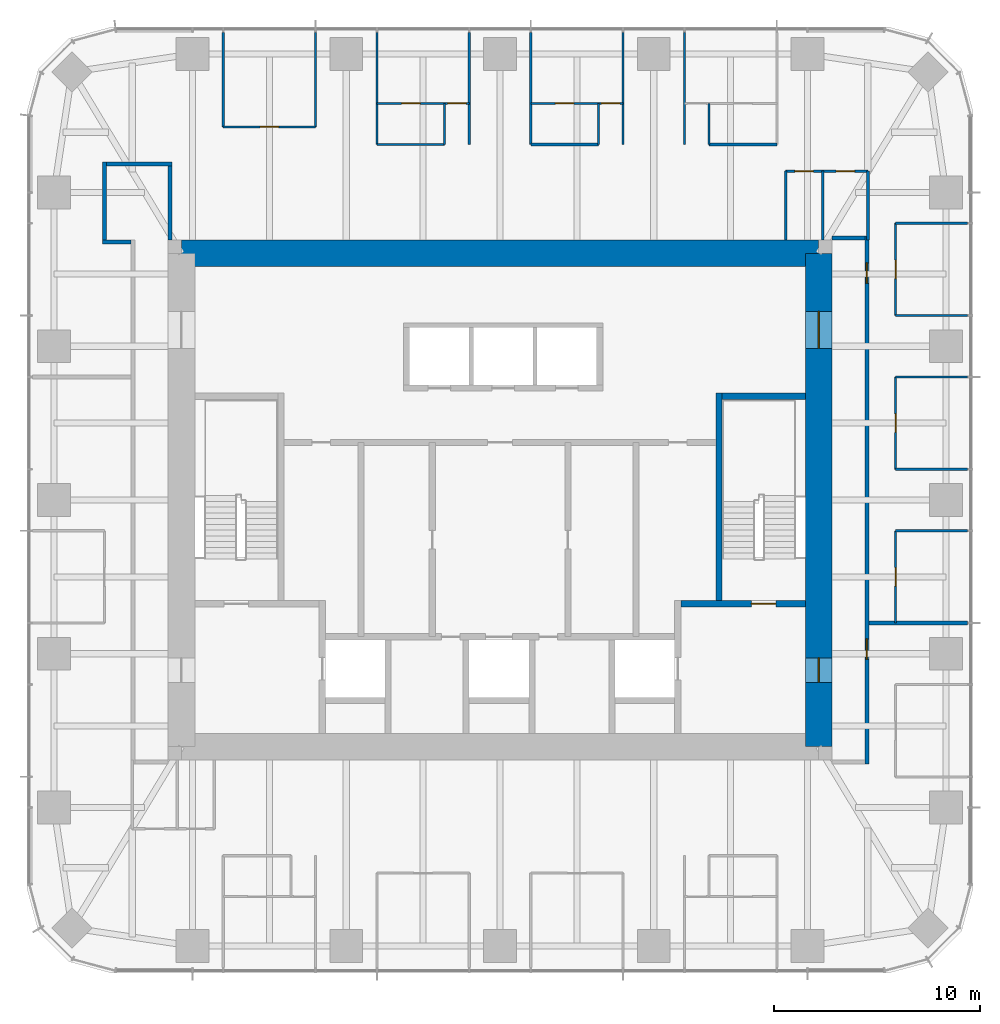
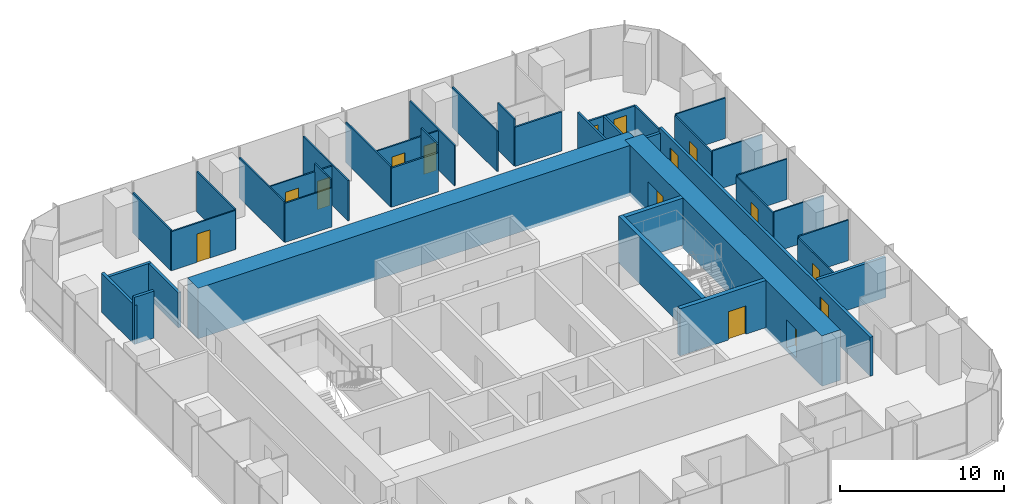
# One storey, part 10 of 12: 40 walls, 15 doors, 15 openings.
"""IFC4 building model written with IfcOpenShell, lengths in metres."""

from ifc_helpers import new_model, si_unit, direction, frame, frame_2d, origin, place, context, subcontext, project, spatial, rectangle, extrude, material, layer, layer_set, type_object, element, fill, save


model = new_model("IFC4")

# Units and contexts
model_context = context("Model", 3, precision=1e-05, world=origin(), true_north=direction((0.0, 1.0)))
body_context = subcontext(model_context, "Body", "Model", "MODEL_VIEW")
ifc_project = project(units=[si_unit("LENGTHUNIT", "METRE"), si_unit("AREAUNIT", "SQUARE_METRE"), si_unit("VOLUMEUNIT", "CUBIC_METRE"), si_unit("PLANEANGLEUNIT", "RADIAN"), si_unit("MASSUNIT", "GRAM", prefix="KILO")], contexts=[model_context])

# Site, building, storey
site_placement = place(None, origin())
site = spatial("IfcSite", under=ifc_project, at=site_placement, CompositionType="ELEMENT")
building_placement = place(site_placement, origin())
building = spatial("IfcBuilding", under=site, at=building_placement, Name="Khuree Lantern Residences", CompositionType="ELEMENT")
storey_placement = place(building_placement, frame((0.0, 0.0, 342.0)))
storey = spatial("IfcBuildingStorey", under=building, at=storey_placement, Name="L86", CompositionType="ELEMENT", Elevation=342.0)

# Walls
ifc_material_1 = material(Name="Moisture-resistant gypsum board on steel studs", Category="steel")
ifc_layer_1 = layer(ifc_material_1, 0.125)
ifc_layer_set_1 = layer_set([ifc_layer_1], Name="BATHROOM WALL BTW125")
wall_type_1 = type_object("IfcWallType", Name="BATHROOM WALL BTW125", PredefinedType="PARTITIONING", material=ifc_layer_set_1)
wall_1_placement = place(storey_placement, frame((13.464111328125, 17.29638671875, 0.0), z_axis=(0.0, 0.0, 1.0), x_axis=(-1.0, 0.0, 0.0)))
element("IfcWall", 1, at=wall_1_placement, inside=storey, type_object=wall_type_1, Name="L86 BATHROOM WALL 01", PredefinedType="PARTITIONING", context=body_context, shape_type="SweptSolid", body=[
    extrude(rectangle(XDim=3.2880859375, YDim=0.125, at=frame_2d((1.64404296875, 0.0))), origin(), (0.0, 0.0, 1.0), 2.909912109375),
])
wall_2_placement = place(storey_placement, frame((4.783935546875, 17.29638671875, 0.0), z_axis=(0.0, 0.0, 1.0), x_axis=(-1.0, 0.0, 0.0)))
element("IfcWall", 2, at=wall_2_placement, inside=storey, type_object=wall_type_1, Name="L86 BATHROOM WALL 01", PredefinedType="PARTITIONING", context=body_context, shape_type="SweptSolid", body=[
    extrude(rectangle(XDim=3.287841796875, YDim=0.125, at=frame_2d((1.64404296875, 0.0))), origin(), (0.0, 0.0, 1.0), 2.909912109375),
])

# Wall, openings, doors
wall_3_placement = place(storey_placement, frame((17.89990234375, 15.996337890625, 0.0), z_axis=(0.0, 0.0, 1.0), x_axis=(-1.0, 0.0, 0.0)))
wall_3 = element("IfcWall", 3, at=wall_3_placement, inside=storey, type_object=wall_type_1, Name="L86 BATHROOM WALL 01", PredefinedType="PARTITIONING", context=body_context, shape_type="SweptSolid", body=[
    extrude(rectangle(XDim=4.0, YDim=0.125, at=frame_2d((2.0, 0.0))), origin(), (0.0, 0.0, 1.0), 2.60009765625),
])
opening_1_placement = place(wall_3_placement, frame((0.64990234375, 0.0, 0.0)))
opening_1 = element("IfcOpeningElement", 4, at=opening_1_placement, cuts=wall_3, Name="Opening 86-030", PredefinedType="OPENING", context=body_context, shape_type="SweptSolid", body=[
    extrude(rectangle(XDim=0.89990234375, YDim=2.10009765625, at=frame_2d((0.449951171875, 1.050048828125))), frame((0.0, 0.072509765625, 0.0), z_axis=(0.0, -1.0, 0.0), x_axis=(1.0, 0.0, 0.0)), (0.0, 0.0, 1.0), 0.14501953125),
])
opening_2_placement = place(wall_3_placement, frame((2.64990234375, 0.0, 0.0)))
opening_2 = element("IfcOpeningElement", 5, at=opening_2_placement, cuts=wall_3, Name="Opening 86-031", PredefinedType="OPENING", context=body_context, shape_type="SweptSolid", body=[
    extrude(rectangle(XDim=0.89990234375, YDim=2.10009765625, at=frame_2d((0.449951171875, 1.050048828125))), frame((0.0, 0.072509765625, 0.0), z_axis=(0.0, -1.0, 0.0), x_axis=(1.0, 0.0, 0.0)), (0.0, 0.0, 1.0), 0.14501953125),
])
ifc_material_2 = material(Name="Timber door leaf in hardwood frame", Category="wood")
door_type_1 = type_object("IfcDoorType", Name="BATHROOM DOOR 900X2100", OperationType="SINGLE_SWING_LEFT", PredefinedType="DOOR", material=ifc_material_2)
door_1_placement = place(opening_1_placement, origin())
door_1 = element("IfcDoor", 6, at=door_1_placement, inside=storey, type_object=door_type_1, Name="Bathroom door 86-030", OperationType="SINGLE_SWING_LEFT", OverallHeight=2.10009765625, OverallWidth=0.89990234375, PredefinedType="DOOR", context=body_context, shape_type="SweptSolid", body=[
    extrude(rectangle(XDim=0.89990234375, YDim=2.10009765625, at=frame_2d((0.449951171875, 1.050048828125))), frame((0.0, 0.02490234375, 0.0), z_axis=(0.0, -1.0, 0.0), x_axis=(1.0, 0.0, 0.0)), (0.0, 0.0, 1.0), 0.050048828125),
])
fill(opening_1, door_1)
door_type_2 = type_object("IfcDoorType", Name="DOOR 900X2100", OperationType="SINGLE_SWING_LEFT", PredefinedType="DOOR", material=ifc_material_2)
door_2_placement = place(opening_2_placement, origin())
door_2 = element("IfcDoor", 7, at=door_2_placement, inside=storey, type_object=door_type_2, Name="Store door 86-031", OperationType="SINGLE_SWING_LEFT", OverallHeight=2.10009765625, OverallWidth=0.89990234375, PredefinedType="DOOR", context=body_context, shape_type="SweptSolid", body=[
    extrude(rectangle(XDim=0.89990234375, YDim=2.10009765625, at=frame_2d((0.449951171875, 1.050048828125))), frame((0.0, 0.02490234375, 0.0), z_axis=(0.0, -1.0, 0.0), x_axis=(1.0, 0.0, 0.0)), (0.0, 0.0, 1.0), 0.050048828125),
])
fill(opening_2, door_2)

# Walls
for number, where, z_axis, x_axis, name in (
    (8, (17.89990234375, 12.64990234375, 0.0), (0.0, 0.0, 1.0), (0.0, 1.0, 0.0), "L86 BATHROOM WALL 01"),
    (9, (15.699951171875, 12.64990234375, 0.0), (0.0, 0.0, 1.0), (0.0, 1.0, 0.0), "L86 BATHROOM WALL 01"),
):
    element("IfcWall", number, at=place(storey_placement, frame(where, z_axis=z_axis, x_axis=x_axis)), inside=storey, type_object=wall_type_1, Name=name, PredefinedType="PARTITIONING", context=body_context, shape_type="SweptSolid", body=[
        extrude(rectangle(XDim=3.346435546875, YDim=0.125, at=frame_2d((1.67333984375, 0.0))), origin(), (0.0, 0.0, 1.0), 2.60009765625),
    ])
wall_4_placement = place(storey_placement, frame((13.89990234375, 12.64990234375, 0.0), z_axis=(0.0, 0.0, 1.0), x_axis=(0.0, 1.0, 0.0)))
element("IfcWall", 10, at=wall_4_placement, inside=storey, type_object=wall_type_1, Name="L86 BATHROOM WALL 01", PredefinedType="PARTITIONING", context=body_context, shape_type="SweptSolid", body=[
    extrude(rectangle(XDim=3.346435546875, YDim=0.125, at=frame_2d((1.67333984375, 0.0))), origin(), (0.0, 0.0, 1.0), 3.5),
])
ifc_material_3 = material(Name="Gypsum board on steel studs", Category="steel")
ifc_layer_2 = layer(ifc_material_3, 0.199951171875)
ifc_layer_set_2 = layer_set([ifc_layer_2], Name="CORRIDOR WALL CRW200 EI 60")
wall_type_2 = type_object("IfcWallType", Name="CORRIDOR WALL CRW200 EI 60", PredefinedType="PARTITIONING", material=ifc_layer_set_2)
wall_5_placement = place(storey_placement, frame((-17.949951171875, 12.550048828125, 0.0), z_axis=(0.0, 0.0, 1.0), x_axis=(-1.0, 0.0, 0.0)))
element("IfcWall", 11, at=wall_5_placement, inside=storey, type_object=wall_type_2, Name="L86 RESIDENTS LOUNGE WALL", PredefinedType="PARTITIONING", context=body_context, shape_type="SweptSolid", body=[
    extrude(rectangle(XDim=1.400146484375, YDim=0.199951171875, at=frame_2d((0.7001953125, 0.0))), origin(), (0.0, 0.0, 1.0), 3.5),
])
wall_6_placement = place(storey_placement, frame((-19.25, 12.449951171875, 0.0), z_axis=(0.0, 0.0, 1.0), x_axis=(0.0, 1.0, 0.0)))
element("IfcWall", 12, at=wall_6_placement, inside=storey, type_object=wall_type_2, Name="L86 RESIDENTS LOUNGE WALL", PredefinedType="PARTITIONING", context=body_context, shape_type="SweptSolid", body=[
    extrude(rectangle(XDim=4.0, YDim=0.199951171875, at=frame_2d((2.0, 0.0))), origin(), (0.0, 0.0, 1.0), 2.89990234375),
])
wall_7_placement = place(storey_placement, frame((-19.14990234375, 16.35009765625, 0.0), z_axis=(0.0, 0.0, 1.0), x_axis=(1.0, 0.0, 0.0)))
element("IfcWall", 13, at=wall_7_placement, inside=storey, type_object=wall_type_2, Name="L86 RESIDENTS LOUNGE WALL", PredefinedType="PARTITIONING", context=body_context, shape_type="SweptSolid", body=[
    extrude(rectangle(XDim=3.199951171875, YDim=0.199951171875, at=frame_2d((1.60009765625, 0.0))), origin(), (0.0, 0.0, 1.0), 2.60009765625),
])
wall_8_placement = place(storey_placement, frame((-16.050048828125, 16.449951171875, 0.0), z_axis=(0.0, 0.0, 1.0), x_axis=(0.0, -1.0, 0.0)))
element("IfcWall", 14, at=wall_8_placement, inside=storey, type_object=wall_type_2, Name="L86 RESIDENTS LOUNGE WALL", PredefinedType="PARTITIONING", context=body_context, shape_type="SweptSolid", body=[
    extrude(rectangle(XDim=3.800048828125, YDim=0.199951171875, at=frame_2d((1.89990234375, 0.0))), origin(), (0.0, 0.0, 1.0), 2.60009765625),
])
wall_9_placement = place(storey_placement, frame((16.14990234375, 12.75, 0.0), z_axis=(0.0, 0.0, 1.0), x_axis=(1.0, 0.0, 0.0)))
element("IfcWall", 15, at=wall_9_placement, inside=storey, type_object=wall_type_2, Name="L86 EAST CORRIDOR NORTH END WALL", PredefinedType="PARTITIONING", context=body_context, shape_type="SweptSolid", body=[
    extrude(rectangle(XDim=1.60009765625, YDim=0.199951171875, at=frame_2d((0.800048828125, 0.0))), origin(), (0.0, 0.0, 1.0), 2.60009765625),
])

# Wall, openings, doors
wall_10_placement = place(storey_placement, frame((17.85009765625, -12.85009765625, 0.0), z_axis=(0.0, 0.0, 1.0), x_axis=(0.0, 1.0, 0.0)))
wall_10 = element("IfcWall", 16, at=wall_10_placement, inside=storey, type_object=wall_type_2, Name="L86 CORRIDOR WALL EAST 1", PredefinedType="PARTITIONING", context=body_context, shape_type="SweptSolid", body=[
    extrude(rectangle(XDim=25.7001953125, YDim=0.199951171875, at=frame_2d((12.85009765625, 0.0))), origin(), (0.0, 0.0, 1.0), 2.89990234375),
])
opening_3_placement = place(wall_10_placement, frame((23.385986328125, 0.0, 0.0)))
opening_3 = element("IfcOpeningElement", 17, at=opening_3_placement, cuts=wall_10, Name="Opening 86-032", PredefinedType="OPENING", context=body_context, shape_type="SweptSolid", body=[
    extrude(rectangle(XDim=1.0, YDim=2.199951171875, at=frame_2d((0.5, 1.10009765625))), frame((0.0, 0.10986328125, 0.0), z_axis=(0.0, -1.0, 0.0), x_axis=(1.0, 0.0, 0.0)), (0.0, 0.0, 1.0), 0.219970703125),
])
opening_4_placement = place(wall_10_placement, frame((5.10009765625, 0.0, 0.0)))
opening_4 = element("IfcOpeningElement", 18, at=opening_4_placement, cuts=wall_10, Name="Opening 86-043", PredefinedType="OPENING", context=body_context, shape_type="SweptSolid", body=[
    extrude(rectangle(XDim=1.0, YDim=2.199951171875, at=frame_2d((0.5, 1.10009765625))), frame((0.0, 0.10986328125, 0.0), z_axis=(0.0, -1.0, 0.0), x_axis=(1.0, 0.0, 0.0)), (0.0, 0.0, 1.0), 0.219970703125),
])
door_type_3 = type_object("IfcDoorType", Name="APARTMENT ENTRANCE DOOR 1000X2200 EI 30S", OperationType="SINGLE_SWING_LEFT", PredefinedType="DOOR", material=ifc_material_2)
door_3_placement = place(opening_4_placement, origin())
door_3 = element("IfcDoor", 19, at=door_3_placement, inside=storey, type_object=door_type_3, Name="Apartment 02 entrance door 86-043", OperationType="SINGLE_SWING_LEFT", OverallHeight=2.199951171875, OverallWidth=1.0, PredefinedType="DOOR", context=body_context, shape_type="SweptSolid", body=[
    extrude(rectangle(XDim=1.0, YDim=2.199951171875, at=frame_2d((0.5, 1.10009765625))), frame((0.0, 0.02490234375, 0.0), z_axis=(0.0, -1.0, 0.0), x_axis=(1.0, 0.0, 0.0)), (0.0, 0.0, 1.0), 0.050048828125),
])
fill(opening_4, door_3)
door_type_4 = type_object("IfcDoorType", Name="APARTMENT ENTRANCE DOOR 1000X2200 EI 30S RIGHT HAND", OperationType="SINGLE_SWING_RIGHT", PredefinedType="DOOR", material=ifc_material_2)
door_4_placement = place(opening_3_placement, origin())
door_4 = element("IfcDoor", 20, at=door_4_placement, inside=storey, type_object=door_type_4, Name="Apartment 01 entrance door 86-032", OperationType="SINGLE_SWING_RIGHT", OverallHeight=2.199951171875, OverallWidth=1.0, PredefinedType="DOOR", context=body_context, shape_type="SweptSolid", body=[
    extrude(rectangle(XDim=1.0, YDim=2.199951171875, at=frame_2d((0.5, 1.10009765625))), frame((0.0, 0.02490234375, 0.0), z_axis=(0.0, -1.0, 0.0), x_axis=(1.0, 0.0, 0.0)), (0.0, 0.0, 1.0), 0.050048828125),
])
fill(opening_3, door_4)

ifc_material_4 = material(Name="Concrete C50/60", Category="concrete")
ifc_layer_3 = layer(ifc_material_4, 1.300048828125)
ifc_layer_set_3 = layer_set([ifc_layer_3], Name="CW1300-C50 CORE WALL C50 1300")
wall_type_3 = type_object("IfcWallType", Name="CW1300-C50 CORE WALL C50 1300", PredefinedType="SHEAR", material=ifc_layer_set_3)
wall_11_placement = place(storey_placement, frame((15.5, -12.0, -0.25), z_axis=(0.0, 0.0, 1.0), x_axis=(0.0, 1.0, 0.0)))
wall_11 = element("IfcWall", 21, at=wall_11_placement, inside=storey, type_object=wall_type_3, Name="Core wall E", PredefinedType="SHEAR", context=body_context, shape_type="SweptSolid", body=[
    extrude(rectangle(XDim=24.0, YDim=1.300048828125, at=frame_2d((12.0, 0.0))), origin(), (0.0, 0.0, 1.0), 3.75),
])
opening_5_placement = place(wall_11_placement, frame((3.125, 0.0, 0.25)))
opening_5 = element("IfcOpeningElement", 22, at=opening_5_placement, cuts=wall_11, Name="Opening 86-005", PredefinedType="OPENING", context=body_context, shape_type="SweptSolid", body=[
    extrude(rectangle(XDim=1.199951171875, YDim=2.10009765625, at=frame_2d((0.60009765625, 1.050048828125))), frame((0.0, 0.66015625, 0.0), z_axis=(0.0, -1.0, 0.0), x_axis=(1.0, 0.0, 0.0)), (0.0, 0.0, 1.0), 1.320068359375),
])
opening_6_placement = place(wall_11_placement, frame((19.375, 0.0, 0.25)))
opening_6 = element("IfcOpeningElement", 23, at=opening_6_placement, cuts=wall_11, Name="Opening 86-006", PredefinedType="OPENING", context=body_context, shape_type="SweptSolid", body=[
    extrude(rectangle(XDim=1.800048828125, YDim=2.10009765625, at=frame_2d((0.89990234375, 1.050048828125))), frame((0.0, 0.66015625, 0.0), z_axis=(0.0, -1.0, 0.0), x_axis=(1.0, 0.0, 0.0)), (0.0, 0.0, 1.0), 1.320068359375),
])
ifc_material_5 = material(Name="Steel door leaf in steel frame", Category="steel")
door_type_5 = type_object("IfcDoorType", Name="LOBBY DOOR 1200X2100 EI 120", OperationType="SINGLE_SWING_LEFT", PredefinedType="DOOR", material=ifc_material_5)
door_5_placement = place(opening_5_placement, origin())
door_5 = element("IfcDoor", 24, at=door_5_placement, inside=storey, type_object=door_type_5, Name="Firefighting lobby door 86-005", OperationType="SINGLE_SWING_LEFT", OverallHeight=2.10009765625, OverallWidth=1.199951171875, PredefinedType="DOOR", context=body_context, shape_type="SweptSolid", body=[
    extrude(rectangle(XDim=1.199951171875, YDim=2.10009765625, at=frame_2d((0.60009765625, 1.050048828125))), frame((0.0, 0.02490234375, 0.0), z_axis=(0.0, -1.0, 0.0), x_axis=(1.0, 0.0, 0.0)), (0.0, 0.0, 1.0), 0.050048828125),
])
fill(opening_5, door_5)
door_type_6 = type_object("IfcDoorType", Name="LOBBY DOUBLE DOOR 1800X2100 EI 60", OperationType="DOUBLE_DOOR_SINGLE_SWING", PredefinedType="DOOR", material=ifc_material_5)
door_6_placement = place(opening_6_placement, origin())
door_6 = element("IfcDoor", 25, at=door_6_placement, inside=storey, type_object=door_type_6, Name="Lift lobby door 86-006", OperationType="DOUBLE_DOOR_SINGLE_SWING", OverallHeight=2.10009765625, OverallWidth=1.800048828125, PredefinedType="DOOR", context=body_context, shape_type="SweptSolid", body=[
    extrude(rectangle(XDim=1.800048828125, YDim=2.10009765625, at=frame_2d((0.89990234375, 1.050048828125))), frame((0.0, 0.02490234375, 0.0), z_axis=(0.0, -1.0, 0.0), x_axis=(1.0, 0.0, 0.0)), (0.0, 0.0, 1.0), 0.050048828125),
])
fill(opening_6, door_6)

# Walls
wall_12_placement = place(storey_placement, frame((-15.5, 12.0, -0.25), z_axis=(0.0, 0.0, 1.0), x_axis=(1.0, 0.0, 0.0)))
element("IfcWall", 26, at=wall_12_placement, inside=storey, type_object=wall_type_3, Name="Core wall N", PredefinedType="SHEAR", context=body_context, shape_type="SweptSolid", body=[
    extrude(rectangle(XDim=31.0, YDim=1.300048828125, at=frame_2d((15.5, 0.0))), origin(), (0.0, 0.0, 1.0), 3.75),
])
ifc_layer_4 = layer(ifc_material_3, 0.199951171875)
ifc_layer_set_4 = layer_set([ifc_layer_4], Name="DEMISING WALL DMW200 EI 90")
wall_type_4 = type_object("IfcWallType", Name="DEMISING WALL DMW200 EI 90", PredefinedType="PARTITIONING", material=ifc_layer_set_4)
wall_13_placement = place(storey_placement, frame((17.949951171875, -5.98388671875, 0.0), z_axis=(0.0, 0.0, 1.0), x_axis=(1.0, 0.0, 0.0)))
element("IfcWall", 27, at=wall_13_placement, inside=storey, type_object=wall_type_4, Name="L86 DEMISING WALL 01", PredefinedType="PARTITIONING", context=body_context, shape_type="SweptSolid", body=[
    extrude(rectangle(XDim=4.800048828125, YDim=0.199951171875, at=frame_2d((2.39990234375, 0.0))), origin(), (0.0, 0.0, 1.0), 3.010009765625),
])
ifc_layer_5 = layer(ifc_material_3, 0.10009765625)
ifc_layer_set_5 = layer_set([ifc_layer_5], Name="PARTITION PT100")
wall_type_5 = type_object("IfcWallType", Name="PARTITION PT100", PredefinedType="PARTITIONING", material=ifc_layer_set_5)
for number, where, z_axis, x_axis, name in (
    (28, (19.25, -1.49609375, 0.0), (0.0, 0.0, 1.0), (1.0, 0.0, 0.0), "L86 PARTITION 01"),
    (29, (19.25, 1.49609375, 0.0), (0.0, 0.0, 1.0), (1.0, 0.0, 0.0), "L86 PARTITION 01"),
    (30, (19.25, 5.98388671875, 0.0), (0.0, 0.0, 1.0), (1.0, 0.0, 0.0), "L86 PARTITION 01"),
    (31, (19.25, 8.97607421875, 0.0), (0.0, 0.0, 1.0), (1.0, 0.0, 0.0), "L86 PARTITION 01"),
    (32, (19.25, 13.464111328125, 0.0), (0.0, 0.0, 1.0), (1.0, 0.0, 0.0), "L86 PARTITION 01"),
):
    element("IfcWall", number, at=place(storey_placement, frame(where, z_axis=z_axis, x_axis=x_axis)), inside=storey, type_object=wall_type_5, Name=name, PredefinedType="PARTITIONING", context=body_context, shape_type="SweptSolid", body=[
        extrude(rectangle(XDim=3.5, YDim=0.10009765625, at=frame_2d((1.75, 0.0))), origin(), (0.0, 0.0, 1.0), 3.010009765625),
    ])
for number, where, z_axis, x_axis, name in (
    (33, (8.97607421875, 17.29638671875, 0.0), (0.0, 0.0, 1.0), (0.0, 1.0, 0.0), "L86 PARTITION 01"),
    (34, (5.98388671875, 17.29638671875, 0.0), (0.0, 0.0, 1.0), (0.0, 1.0, 0.0), "L86 PARTITION 01"),
    (35, (1.49609375, 17.29638671875, 0.0), (0.0, 0.0, 1.0), (0.0, 1.0, 0.0), "L86 PARTITION 01"),
    (36, (-1.49609375, 17.29638671875, 0.0), (0.0, 0.0, 1.0), (0.0, 1.0, 0.0), "L86 PARTITION 01"),
    (37, (-5.98388671875, 17.29638671875, 0.0), (0.0, 0.0, 1.0), (0.0, 1.0, 0.0), "L86 PARTITION 01"),
):
    element("IfcWall", number, at=place(storey_placement, frame(where, z_axis=z_axis, x_axis=x_axis)), inside=storey, type_object=wall_type_5, Name=name, PredefinedType="PARTITIONING", context=body_context, shape_type="SweptSolid", body=[
        extrude(rectangle(XDim=5.45361328125, YDim=0.10009765625, at=frame_2d((2.726806640625, 0.0))), origin(), (0.0, 0.0, 1.0), 3.010009765625),
    ])
for number, where, z_axis, x_axis, name in (
    (38, (-8.97607421875, 18.14990234375, 0.0), (0.0, 0.0, 1.0), (0.0, 1.0, 0.0), "L86 PARTITION 01"),
    (39, (-13.464111328125, 18.14990234375, 0.0), (0.0, 0.0, 1.0), (0.0, 1.0, 0.0), "L86 PARTITION 01"),
):
    element("IfcWall", number, at=place(storey_placement, frame(where, z_axis=z_axis, x_axis=x_axis)), inside=storey, type_object=wall_type_5, Name=name, PredefinedType="PARTITIONING", context=body_context, shape_type="SweptSolid", body=[
        extrude(rectangle(XDim=4.60009765625, YDim=0.10009765625, at=frame_2d((2.300048828125, 0.0))), origin(), (0.0, 0.0, 1.0), 3.010009765625),
    ])

# Wall, opening, door
wall_14_placement = place(storey_placement, frame((19.25, -5.98388671875, 0.0), z_axis=(0.0, 0.0, 1.0), x_axis=(0.0, 1.0, 0.0)))
wall_14 = element("IfcWall", 40, at=wall_14_placement, inside=storey, type_object=wall_type_5, Name="L86 PARTITION 01", PredefinedType="PARTITIONING", context=body_context, shape_type="SweptSolid", body=[
    extrude(rectangle(XDim=4.48779296875, YDim=0.10009765625, at=frame_2d((2.243896484375, 0.0))), origin(), (0.0, 0.0, 1.0), 2.909912109375),
])
opening_7_placement = place(wall_14_placement, frame((1.7939453125, 0.0, 0.0)))
opening_7 = element("IfcOpeningElement", 41, at=opening_7_placement, cuts=wall_14, Name="Opening 86-020", PredefinedType="OPENING", context=body_context, shape_type="SweptSolid", body=[
    extrude(rectangle(XDim=0.89990234375, YDim=2.10009765625, at=frame_2d((0.449951171875, 1.050048828125))), frame((0.0, 0.06005859375, 0.0), z_axis=(0.0, -1.0, 0.0), x_axis=(1.0, 0.0, 0.0)), (0.0, 0.0, 1.0), 0.1201171875),
])
door_type_7 = type_object("IfcDoorType", Name="BEDROOM DOOR 900X2100", OperationType="SINGLE_SWING_LEFT", PredefinedType="DOOR", material=ifc_material_2)
door_7_placement = place(opening_7_placement, origin())
door_7 = element("IfcDoor", 42, at=door_7_placement, inside=storey, type_object=door_type_7, Name="Bedroom door 86-020", OperationType="SINGLE_SWING_LEFT", OverallHeight=2.10009765625, OverallWidth=0.89990234375, PredefinedType="DOOR", context=body_context, shape_type="SweptSolid", body=[
    extrude(rectangle(XDim=0.89990234375, YDim=2.10009765625, at=frame_2d((0.449951171875, 1.050048828125))), frame((0.0, 0.02490234375, 0.0), z_axis=(0.0, -1.0, 0.0), x_axis=(1.0, 0.0, 0.0)), (0.0, 0.0, 1.0), 0.050048828125),
])
fill(opening_7, door_7)

wall_15_placement = place(storey_placement, frame((19.25, 1.49609375, 0.0), z_axis=(0.0, 0.0, 1.0), x_axis=(0.0, 1.0, 0.0)))
wall_15 = element("IfcWall", 43, at=wall_15_placement, inside=storey, type_object=wall_type_5, Name="L86 PARTITION 01", PredefinedType="PARTITIONING", context=body_context, shape_type="SweptSolid", body=[
    extrude(rectangle(XDim=4.48779296875, YDim=0.10009765625, at=frame_2d((2.243896484375, 0.0))), origin(), (0.0, 0.0, 1.0), 2.909912109375),
])
opening_8_placement = place(wall_15_placement, frame((1.7939453125, 0.0, 0.0)))
opening_8 = element("IfcOpeningElement", 44, at=opening_8_placement, cuts=wall_15, Name="Opening 86-021", PredefinedType="OPENING", context=body_context, shape_type="SweptSolid", body=[
    extrude(rectangle(XDim=0.89990234375, YDim=2.10009765625, at=frame_2d((0.449951171875, 1.050048828125))), frame((0.0, 0.06005859375, 0.0), z_axis=(0.0, -1.0, 0.0), x_axis=(1.0, 0.0, 0.0)), (0.0, 0.0, 1.0), 0.1201171875),
])
door_8_placement = place(opening_8_placement, origin())
door_8 = element("IfcDoor", 45, at=door_8_placement, inside=storey, type_object=door_type_7, Name="Bedroom door 86-021", OperationType="SINGLE_SWING_LEFT", OverallHeight=2.10009765625, OverallWidth=0.89990234375, PredefinedType="DOOR", context=body_context, shape_type="SweptSolid", body=[
    extrude(rectangle(XDim=0.89990234375, YDim=2.10009765625, at=frame_2d((0.449951171875, 1.050048828125))), frame((0.0, 0.02490234375, 0.0), z_axis=(0.0, -1.0, 0.0), x_axis=(1.0, 0.0, 0.0)), (0.0, 0.0, 1.0), 0.050048828125),
])
fill(opening_8, door_8)

wall_16_placement = place(storey_placement, frame((19.25, 8.97607421875, 0.0), z_axis=(0.0, 0.0, 1.0), x_axis=(0.0, 1.0, 0.0)))
wall_16 = element("IfcWall", 46, at=wall_16_placement, inside=storey, type_object=wall_type_5, Name="L86 PARTITION 01", PredefinedType="PARTITIONING", context=body_context, shape_type="SweptSolid", body=[
    extrude(rectangle(XDim=4.488037109375, YDim=0.10009765625, at=frame_2d((2.244140625, 0.0))), origin(), (0.0, 0.0, 1.0), 2.909912109375),
])
opening_9_placement = place(wall_16_placement, frame((1.7939453125, 0.0, 0.0)))
opening_9 = element("IfcOpeningElement", 47, at=opening_9_placement, cuts=wall_16, Name="Opening 86-022", PredefinedType="OPENING", context=body_context, shape_type="SweptSolid", body=[
    extrude(rectangle(XDim=0.89990234375, YDim=2.10009765625, at=frame_2d((0.449951171875, 1.050048828125))), frame((0.0, 0.06005859375, 0.0), z_axis=(0.0, -1.0, 0.0), x_axis=(1.0, 0.0, 0.0)), (0.0, 0.0, 1.0), 0.1201171875),
])
door_9_placement = place(opening_9_placement, origin())
door_9 = element("IfcDoor", 48, at=door_9_placement, inside=storey, type_object=door_type_7, Name="Bedroom door 86-022", OperationType="SINGLE_SWING_LEFT", OverallHeight=2.10009765625, OverallWidth=0.89990234375, PredefinedType="DOOR", context=body_context, shape_type="SweptSolid", body=[
    extrude(rectangle(XDim=0.89990234375, YDim=2.10009765625, at=frame_2d((0.449951171875, 1.050048828125))), frame((0.0, 0.02490234375, 0.0), z_axis=(0.0, -1.0, 0.0), x_axis=(1.0, 0.0, 0.0)), (0.0, 0.0, 1.0), 0.050048828125),
])
fill(opening_9, door_9)

# Wall
wall_17_placement = place(storey_placement, frame((10.176025390625, 17.29638671875, 0.0), z_axis=(0.0, 0.0, 1.0), x_axis=(0.0, 1.0, 0.0)))
element("IfcWall", 49, at=wall_17_placement, inside=storey, type_object=wall_type_5, Name="L86 PARTITION 01", PredefinedType="PARTITIONING", context=body_context, shape_type="SweptSolid", body=[
    extrude(rectangle(XDim=2.0, YDim=0.10009765625, at=frame_2d((1.0, 0.0))), origin(), (0.0, 0.0, 1.0), 3.5),
])

# Wall, openings, doors
wall_18_placement = place(storey_placement, frame((5.98388671875, 19.29638671875, 0.0), z_axis=(0.0, 0.0, 1.0), x_axis=(-1.0, 0.0, 0.0)))
wall_18 = element("IfcWall", 50, at=wall_18_placement, inside=storey, type_object=wall_type_5, Name="L86 PARTITION 01", PredefinedType="PARTITIONING", context=body_context, shape_type="SweptSolid", body=[
    extrude(rectangle(XDim=4.48779296875, YDim=0.10009765625, at=frame_2d((2.243896484375, 0.0))), origin(), (0.0, 0.0, 1.0), 2.909912109375),
])
opening_10_placement = place(wall_18_placement, frame((0.14990234375, 0.0, 0.0)))
opening_10 = element("IfcOpeningElement", 51, at=opening_10_placement, cuts=wall_18, Name="Opening 86-025", PredefinedType="OPENING", context=body_context, shape_type="SweptSolid", body=[
    extrude(rectangle(XDim=0.89990234375, YDim=2.10009765625, at=frame_2d((0.449951171875, 1.050048828125))), frame((0.0, 0.06005859375, 0.0), z_axis=(0.0, -1.0, 0.0), x_axis=(1.0, 0.0, 0.0)), (0.0, 0.0, 1.0), 0.1201171875),
])
opening_11_placement = place(wall_18_placement, frame((2.39404296875, 0.0, 0.0)))
opening_11 = element("IfcOpeningElement", 52, at=opening_11_placement, cuts=wall_18, Name="Opening 86-026", PredefinedType="OPENING", context=body_context, shape_type="SweptSolid", body=[
    extrude(rectangle(XDim=0.89990234375, YDim=2.10009765625, at=frame_2d((0.449951171875, 1.050048828125))), frame((0.0, 0.06005859375, 0.0), z_axis=(0.0, -1.0, 0.0), x_axis=(1.0, 0.0, 0.0)), (0.0, 0.0, 1.0), 0.1201171875),
])
door_10_placement = place(opening_11_placement, origin())
door_10 = element("IfcDoor", 53, at=door_10_placement, inside=storey, type_object=door_type_1, Name="Bathroom door 86-026", OperationType="SINGLE_SWING_LEFT", OverallHeight=2.10009765625, OverallWidth=0.89990234375, PredefinedType="DOOR", context=body_context, shape_type="SweptSolid", body=[
    extrude(rectangle(XDim=0.89990234375, YDim=2.10009765625, at=frame_2d((0.449951171875, 1.050048828125))), frame((0.0, 0.02490234375, 0.0), z_axis=(0.0, -1.0, 0.0), x_axis=(1.0, 0.0, 0.0)), (0.0, 0.0, 1.0), 0.050048828125),
])
fill(opening_11, door_10)
door_11_placement = place(opening_10_placement, origin())
door_11 = element("IfcDoor", 54, at=door_11_placement, inside=storey, type_object=door_type_7, Name="Bedroom door 86-025", OperationType="SINGLE_SWING_LEFT", OverallHeight=2.10009765625, OverallWidth=0.89990234375, PredefinedType="DOOR", context=body_context, shape_type="SweptSolid", body=[
    extrude(rectangle(XDim=0.89990234375, YDim=2.10009765625, at=frame_2d((0.449951171875, 1.050048828125))), frame((0.0, 0.02490234375, 0.0), z_axis=(0.0, -1.0, 0.0), x_axis=(1.0, 0.0, 0.0)), (0.0, 0.0, 1.0), 0.050048828125),
])
fill(opening_10, door_11)

# Wall
wall_19_placement = place(storey_placement, frame((4.783935546875, 17.29638671875, 0.0), z_axis=(0.0, 0.0, 1.0), x_axis=(0.0, 1.0, 0.0)))
element("IfcWall", 55, at=wall_19_placement, inside=storey, type_object=wall_type_5, Name="L86 PARTITION 01", PredefinedType="PARTITIONING", context=body_context, shape_type="SweptSolid", body=[
    extrude(rectangle(XDim=2.0, YDim=0.10009765625, at=frame_2d((1.0, 0.0))), origin(), (0.0, 0.0, 1.0), 3.5),
])

# Wall, openings, doors
wall_20_placement = place(storey_placement, frame((-1.49609375, 19.29638671875, 0.0), z_axis=(0.0, 0.0, 1.0), x_axis=(-1.0, 0.0, 0.0)))
wall_20 = element("IfcWall", 56, at=wall_20_placement, inside=storey, type_object=wall_type_5, Name="L86 PARTITION 01", PredefinedType="PARTITIONING", context=body_context, shape_type="SweptSolid", body=[
    extrude(rectangle(XDim=4.48779296875, YDim=0.10009765625, at=frame_2d((2.243896484375, 0.0))), origin(), (0.0, 0.0, 1.0), 2.909912109375),
])
opening_12_placement = place(wall_20_placement, frame((0.14990234375, 0.0, 0.0)))
opening_12 = element("IfcOpeningElement", 57, at=opening_12_placement, cuts=wall_20, Name="Opening 86-027", PredefinedType="OPENING", context=body_context, shape_type="SweptSolid", body=[
    extrude(rectangle(XDim=0.89990234375, YDim=2.10009765625, at=frame_2d((0.449951171875, 1.050048828125))), frame((0.0, 0.06005859375, 0.0), z_axis=(0.0, -1.0, 0.0), x_axis=(1.0, 0.0, 0.0)), (0.0, 0.0, 1.0), 0.1201171875),
])
opening_13_placement = place(wall_20_placement, frame((2.39404296875, 0.0, 0.0)))
opening_13 = element("IfcOpeningElement", 58, at=opening_13_placement, cuts=wall_20, Name="Opening 86-028", PredefinedType="OPENING", context=body_context, shape_type="SweptSolid", body=[
    extrude(rectangle(XDim=0.89990234375, YDim=2.10009765625, at=frame_2d((0.449951171875, 1.050048828125))), frame((0.0, 0.06005859375, 0.0), z_axis=(0.0, -1.0, 0.0), x_axis=(1.0, 0.0, 0.0)), (0.0, 0.0, 1.0), 0.1201171875),
])
door_12_placement = place(opening_12_placement, origin())
door_12 = element("IfcDoor", 59, at=door_12_placement, inside=storey, type_object=door_type_7, Name="Bedroom door 86-027", OperationType="SINGLE_SWING_LEFT", OverallHeight=2.10009765625, OverallWidth=0.89990234375, PredefinedType="DOOR", context=body_context, shape_type="SweptSolid", body=[
    extrude(rectangle(XDim=0.89990234375, YDim=2.10009765625, at=frame_2d((0.449951171875, 1.050048828125))), frame((0.0, 0.02490234375, 0.0), z_axis=(0.0, -1.0, 0.0), x_axis=(1.0, 0.0, 0.0)), (0.0, 0.0, 1.0), 0.050048828125),
])
fill(opening_12, door_12)
door_13_placement = place(opening_13_placement, origin())
door_13 = element("IfcDoor", 60, at=door_13_placement, inside=storey, type_object=door_type_2, Name="Wardrobe door 86-028", OperationType="SINGLE_SWING_LEFT", OverallHeight=2.10009765625, OverallWidth=0.89990234375, PredefinedType="DOOR", context=body_context, shape_type="SweptSolid", body=[
    extrude(rectangle(XDim=0.89990234375, YDim=2.10009765625, at=frame_2d((0.449951171875, 1.050048828125))), frame((0.0, 0.02490234375, 0.0), z_axis=(0.0, -1.0, 0.0), x_axis=(1.0, 0.0, 0.0)), (0.0, 0.0, 1.0), 0.050048828125),
])
fill(opening_13, door_13)

# Walls
wall_21_placement = place(storey_placement, frame((-2.696044921875, 17.29638671875, 0.0), z_axis=(0.0, 0.0, 1.0), x_axis=(0.0, 1.0, 0.0)))
element("IfcWall", 61, at=wall_21_placement, inside=storey, type_object=wall_type_5, Name="L86 PARTITION 01", PredefinedType="PARTITIONING", context=body_context, shape_type="SweptSolid", body=[
    extrude(rectangle(XDim=2.0, YDim=0.10009765625, at=frame_2d((1.0, 0.0))), origin(), (0.0, 0.0, 1.0), 3.5),
])
wall_22_placement = place(storey_placement, frame((-2.696044921875, 17.29638671875, 0.0), z_axis=(0.0, 0.0, 1.0), x_axis=(-1.0, 0.0, 0.0)))
element("IfcWall", 62, at=wall_22_placement, inside=storey, type_object=wall_type_5, Name="L86 PARTITION 01", PredefinedType="PARTITIONING", context=body_context, shape_type="SweptSolid", body=[
    extrude(rectangle(XDim=3.287841796875, YDim=0.10009765625, at=frame_2d((1.64404296875, 0.0))), origin(), (0.0, 0.0, 1.0), 2.909912109375),
])

# Wall, opening, door
wall_23_placement = place(storey_placement, frame((-8.97607421875, 18.14990234375, 0.0), z_axis=(0.0, 0.0, 1.0), x_axis=(-1.0, 0.0, 0.0)))
wall_23 = element("IfcWall", 63, at=wall_23_placement, inside=storey, type_object=wall_type_5, Name="L86 PARTITION 01", PredefinedType="PARTITIONING", context=body_context, shape_type="SweptSolid", body=[
    extrude(rectangle(XDim=4.488037109375, YDim=0.10009765625, at=frame_2d((2.244140625, 0.0))), origin(), (0.0, 0.0, 1.0), 2.909912109375),
])
opening_14_placement = place(wall_23_placement, frame((1.7939453125, 0.0, 0.0)))
opening_14 = element("IfcOpeningElement", 64, at=opening_14_placement, cuts=wall_23, Name="Opening 86-029", PredefinedType="OPENING", context=body_context, shape_type="SweptSolid", body=[
    extrude(rectangle(XDim=0.89990234375, YDim=2.10009765625, at=frame_2d((0.449951171875, 1.050048828125))), frame((0.0, 0.06005859375, 0.0), z_axis=(0.0, -1.0, 0.0), x_axis=(1.0, 0.0, 0.0)), (0.0, 0.0, 1.0), 0.1201171875),
])
door_14_placement = place(opening_14_placement, origin())
door_14 = element("IfcDoor", 65, at=door_14_placement, inside=storey, type_object=door_type_7, Name="Bedroom door 86-029", OperationType="SINGLE_SWING_LEFT", OverallHeight=2.10009765625, OverallWidth=0.89990234375, PredefinedType="DOOR", context=body_context, shape_type="SweptSolid", body=[
    extrude(rectangle(XDim=0.89990234375, YDim=2.10009765625, at=frame_2d((0.449951171875, 1.050048828125))), frame((0.0, 0.02490234375, 0.0), z_axis=(0.0, -1.0, 0.0), x_axis=(1.0, 0.0, 0.0)), (0.0, 0.0, 1.0), 0.050048828125),
])
fill(opening_14, door_14)

# Wall
ifc_layer_6 = layer(ifc_material_4, 0.300048828125)
ifc_layer_set_6 = layer_set([ifc_layer_6], Name="STAIR WALL SRW300 C50/60 REI 240")
wall_type_6 = type_object("IfcWallType", Name="STAIR WALL SRW300 C50/60 REI 240", PredefinedType="SOLIDWALL", material=ifc_layer_set_6)
wall_24_placement = place(storey_placement, frame((10.64990234375, -4.89990234375, 0.0), z_axis=(0.0, 0.0, 1.0), x_axis=(0.0, 1.0, 0.0)))
element("IfcWall", 66, at=wall_24_placement, inside=storey, type_object=wall_type_6, Name="L86 STAIR WALL ST2E", PredefinedType="SOLIDWALL", context=body_context, shape_type="SweptSolid", body=[
    extrude(rectangle(XDim=10.099853515625, YDim=0.300048828125, at=frame_2d((5.0498046875, 0.0))), origin(), (0.0, 0.0, 1.0), 3.5),
])

# Wall, opening, door
wall_25_placement = place(storey_placement, frame((14.85009765625, -5.050048828125, 0.0), z_axis=(0.0, 0.0, 1.0), x_axis=(-1.0, 0.0, 0.0)))
wall_25 = element("IfcWall", 67, at=wall_25_placement, inside=storey, type_object=wall_type_6, Name="L86 STAIR WALL ST2S", PredefinedType="SOLIDWALL", context=body_context, shape_type="SweptSolid", body=[
    extrude(rectangle(XDim=6.050048828125, YDim=0.300048828125, at=frame_2d((3.02490234375, 0.0))), origin(), (0.0, 0.0, 1.0), 3.5),
])
opening_15_placement = place(wall_25_placement, frame((1.425048828125, 0.0, 0.0)))
opening_15 = element("IfcOpeningElement", 68, at=opening_15_placement, cuts=wall_25, Name="Opening 86-004", PredefinedType="OPENING", context=body_context, shape_type="SweptSolid", body=[
    extrude(rectangle(XDim=1.199951171875, YDim=2.10009765625, at=frame_2d((0.60009765625, 1.050048828125))), frame((0.0, 0.16015625, 0.0), z_axis=(0.0, -1.0, 0.0), x_axis=(1.0, 0.0, 0.0)), (0.0, 0.0, 1.0), 0.320068359375),
])
door_type_8 = type_object("IfcDoorType", Name="STAIR DOOR 1200X2100 EI 120", OperationType="SINGLE_SWING_LEFT", PredefinedType="DOOR", material=ifc_material_5)
door_15_placement = place(opening_15_placement, origin())
door_15 = element("IfcDoor", 69, at=door_15_placement, inside=storey, type_object=door_type_8, Name="Stair ST2 door 86-004", OperationType="SINGLE_SWING_LEFT", OverallHeight=2.10009765625, OverallWidth=1.199951171875, PredefinedType="DOOR", context=body_context, shape_type="SweptSolid", body=[
    extrude(rectangle(XDim=1.199951171875, YDim=2.10009765625, at=frame_2d((0.60009765625, 1.050048828125))), frame((0.0, 0.02490234375, 0.0), z_axis=(0.0, -1.0, 0.0), x_axis=(1.0, 0.0, 0.0)), (0.0, 0.0, 1.0), 0.050048828125),
])
fill(opening_15, door_15)

# Wall
wall_26_placement = place(storey_placement, frame((14.85009765625, 5.050048828125, 0.0), z_axis=(0.0, 0.0, 1.0), x_axis=(-1.0, 0.0, 0.0)))
element("IfcWall", 70, at=wall_26_placement, inside=storey, type_object=wall_type_6, Name="L86 STAIR WALL ST2N", PredefinedType="SOLIDWALL", context=body_context, shape_type="SweptSolid", body=[
    extrude(rectangle(XDim=4.050048828125, YDim=0.300048828125, at=frame_2d((2.02490234375, 0.0))), origin(), (0.0, 0.0, 1.0), 3.5),
])

save(model, "model.ifc")
